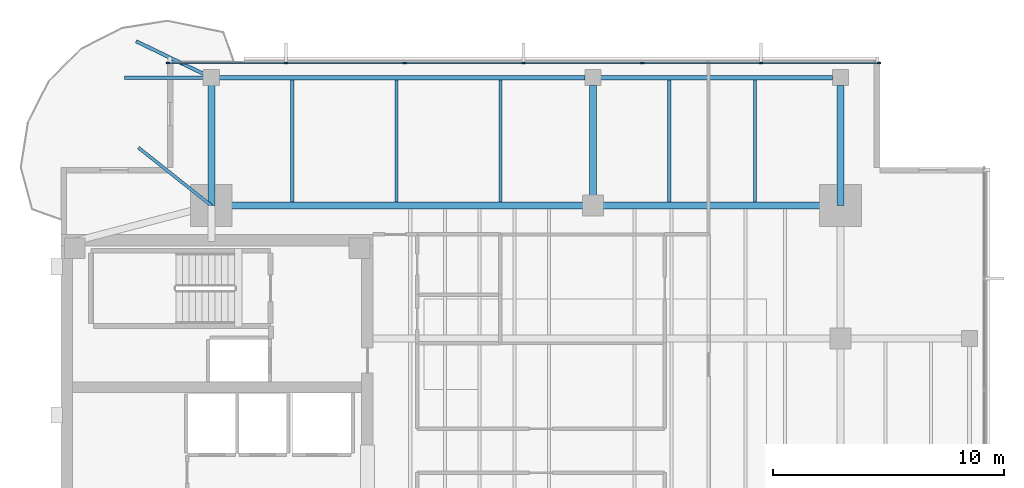
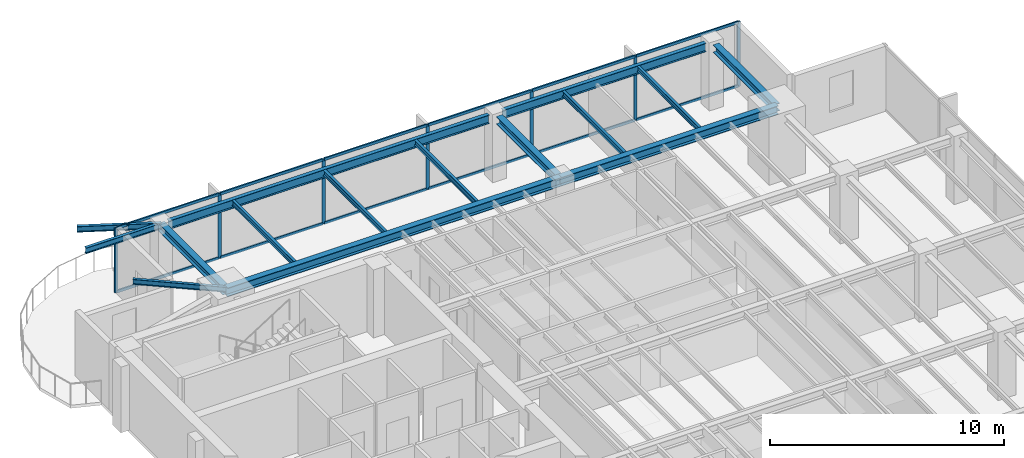
# One storey, part 5 of 14: 19 members, 15 beams, 1 element without a shape of its own.
"""IFC4 building model written with IfcOpenShell, lengths in metres."""

from ifc_helpers import new_model, si_unit, direction, frame, origin, origin_2d, place, context, subcontext, project, spatial, rectangle, i_section, extrude, material, layer, layer_set, material_profile, profile_set, type_object, element, aggregate, save


model = new_model("IFC4")

# Units and contexts
model_context = context("Model", 3, precision=1e-05, world=origin(), true_north=direction((0.0, 1.0)))
body_context = subcontext(model_context, "Body", "Model", "MODEL_VIEW")
ifc_project = project(units=[si_unit("LENGTHUNIT", "METRE"), si_unit("AREAUNIT", "SQUARE_METRE"), si_unit("VOLUMEUNIT", "CUBIC_METRE"), si_unit("PLANEANGLEUNIT", "RADIAN"), si_unit("MASSUNIT", "GRAM", prefix="KILO")], contexts=[model_context])

# Site, building, storey
site_placement = place(None, origin())
site = spatial("IfcSite", under=ifc_project, at=site_placement, CompositionType="ELEMENT")
building_placement = place(site_placement, origin())
building = spatial("IfcBuilding", under=site, at=building_placement, Name="Kinhvarn Gate Tower", CompositionType="ELEMENT")
storey_placement = place(building_placement, frame((0.0, 0.0, 267.0)))
storey = spatial("IfcBuildingStorey", under=building, at=storey_placement, Name="L71", CompositionType="ELEMENT", Elevation=267.0)

# Curtain wall, members
ifc_material_1 = material(Name="Anodised aluminium AW-6063", Category="aluminium")
ifc_layer = layer(ifc_material_1, 0.179931640625)
ifc_layer_set = layer_set([ifc_layer], Name="Anodised aluminium AW-6063")
curtain_wall_type = type_object("IfcCurtainWallType", Name="CW-SYS-3", PredefinedType="NOTDEFINED", material=ifc_layer_set)
curtain_wall_placement = place(storey_placement, origin())
curtain_wall = element("IfcCurtainWall", 1, at=curtain_wall_placement, inside=storey, type_object=curtain_wall_type, Name="Curtain Wall CW3 (L71)", PredefinedType="NOTDEFINED")
ifc_material_profile_1 = material_profile(ifc_material_1, rectangle(XDim=0.06494140625, YDim=0.159912109375, at=origin_2d()), Name="ALU 65x160")
ifc_profile_set_1 = profile_set([ifc_material_profile_1], Name="Anodised aluminium AW-6063")
member_type_1 = type_object("IfcMemberType", Name="CW-MUL-160", PredefinedType="MULLION", material=ifc_profile_set_1)
member_1_placement = place(storey_placement, frame((39.867431640625, 43.909912109375, 0.0), z_axis=(0.0, 0.0, 1.0), x_axis=(0.0, -1.0, 0.0)))
member_1 = element("IfcMember", 2, at=member_1_placement, type_object=member_type_1, Name="CW3 mullion 1", PredefinedType="MULLION", context=body_context, shape_type="SweptSolid", body=[
    extrude(rectangle(XDim=0.06494140625, YDim=0.159912109375, at=origin_2d()), origin(), (0.0, 0.0, 1.0), 3.389892578125),
])
member_2_placement = place(storey_placement, frame((34.7666015625, 43.909912109375, 0.0), z_axis=(0.0, 0.0, 1.0), x_axis=(0.0, -1.0, 0.0)))
member_2 = element("IfcMember", 3, at=member_2_placement, type_object=member_type_1, Name="CW3 mullion 2", PredefinedType="MULLION", context=body_context, shape_type="SweptSolid", body=[
    extrude(rectangle(XDim=0.06494140625, YDim=0.159912109375, at=origin_2d()), origin(), (0.0, 0.0, 1.0), 3.389892578125),
])
member_3_placement = place(storey_placement, frame((29.63330078125, 43.909912109375, 0.0), z_axis=(0.0, 0.0, 1.0), x_axis=(0.0, -1.0, 0.0)))
member_3 = element("IfcMember", 4, at=member_3_placement, type_object=member_type_1, Name="CW3 mullion 3", PredefinedType="MULLION", context=body_context, shape_type="SweptSolid", body=[
    extrude(rectangle(XDim=0.06494140625, YDim=0.159912109375, at=origin_2d()), origin(), (0.0, 0.0, 1.0), 3.389892578125),
])
member_4_placement = place(storey_placement, frame((24.5, 43.909912109375, 0.0), z_axis=(0.0, 0.0, 1.0), x_axis=(0.0, -1.0, 0.0)))
member_4 = element("IfcMember", 5, at=member_4_placement, type_object=member_type_1, Name="CW3 mullion 4", PredefinedType="MULLION", context=body_context, shape_type="SweptSolid", body=[
    extrude(rectangle(XDim=0.06494140625, YDim=0.159912109375, at=origin_2d()), origin(), (0.0, 0.0, 1.0), 3.389892578125),
])
member_5_placement = place(storey_placement, frame((19.36669921875, 43.909912109375, 0.0), z_axis=(0.0, 0.0, 1.0), x_axis=(0.0, -1.0, 0.0)))
member_5 = element("IfcMember", 6, at=member_5_placement, type_object=member_type_1, Name="CW3 mullion 5", PredefinedType="MULLION", context=body_context, shape_type="SweptSolid", body=[
    extrude(rectangle(XDim=0.06494140625, YDim=0.159912109375, at=origin_2d()), origin(), (0.0, 0.0, 1.0), 3.389892578125),
])
member_6_placement = place(storey_placement, frame((14.2333984375, 43.909912109375, 0.0), z_axis=(0.0, 0.0, 1.0), x_axis=(0.0, -1.0, 0.0)))
member_6 = element("IfcMember", 7, at=member_6_placement, type_object=member_type_1, Name="CW3 mullion 6", PredefinedType="MULLION", context=body_context, shape_type="SweptSolid", body=[
    extrude(rectangle(XDim=0.06494140625, YDim=0.159912109375, at=origin_2d()), origin(), (0.0, 0.0, 1.0), 3.389892578125),
])
member_7_placement = place(storey_placement, frame((9.132568359375, 43.909912109375, 0.0), z_axis=(0.0, 0.0, 1.0), x_axis=(0.0, -1.0, 0.0)))
member_7 = element("IfcMember", 8, at=member_7_placement, type_object=member_type_1, Name="CW3 mullion 7", PredefinedType="MULLION", context=body_context, shape_type="SweptSolid", body=[
    extrude(rectangle(XDim=0.06494140625, YDim=0.159912109375, at=origin_2d()), origin(), (0.0, 0.0, 1.0), 3.389892578125),
])
ifc_material_profile_2 = material_profile(ifc_material_1, rectangle(XDim=0.070068359375, YDim=0.139892578125, at=origin_2d()), Name="ALU 70x140")
ifc_profile_set_2 = profile_set([ifc_material_profile_2], Name="Anodised aluminium AW-6063")
member_type_2 = type_object("IfcMemberType", Name="CW-TRN-140", PredefinedType="USERDEFINED", material=ifc_profile_set_2)
member_8_placement = place(storey_placement, frame((39.8349609375, 43.909912109375, 0.034912109375), z_axis=(-1.0, 0.0, 0.0), x_axis=(0.0, -1.0, 0.0)))
member_8 = element("IfcMember", 9, at=member_8_placement, type_object=member_type_2, Name="CW3 transom 1.1", ObjectType="TRANSOM", PredefinedType="USERDEFINED", context=body_context, shape_type="SweptSolid", body=[
    extrude(rectangle(XDim=0.070068359375, YDim=0.139892578125, at=origin_2d()), origin(), (0.0, 0.0, 1.0), 5.035888671875),
])
member_9_placement = place(storey_placement, frame((39.8349609375, 43.909912109375, 3.35498046875), z_axis=(-1.0, 0.0, 0.0), x_axis=(0.0, -1.0, 0.0)))
member_9 = element("IfcMember", 10, at=member_9_placement, type_object=member_type_2, Name="CW3 transom 1.2", ObjectType="TRANSOM", PredefinedType="USERDEFINED", context=body_context, shape_type="SweptSolid", body=[
    extrude(rectangle(XDim=0.070068359375, YDim=0.139892578125, at=origin_2d()), origin(), (0.0, 0.0, 1.0), 5.035888671875),
])
member_10_placement = place(storey_placement, frame((34.734130859375, 43.909912109375, 0.034912109375), z_axis=(-1.0, 0.0, 0.0), x_axis=(0.0, -1.0, 0.0)))
member_10 = element("IfcMember", 11, at=member_10_placement, type_object=member_type_2, Name="CW3 transom 2.1", ObjectType="TRANSOM", PredefinedType="USERDEFINED", context=body_context, shape_type="SweptSolid", body=[
    extrude(rectangle(XDim=0.070068359375, YDim=0.139892578125, at=origin_2d()), origin(), (0.0, 0.0, 1.0), 5.068359375),
])
member_11_placement = place(storey_placement, frame((34.734130859375, 43.909912109375, 3.35498046875), z_axis=(-1.0, 0.0, 0.0), x_axis=(0.0, -1.0, 0.0)))
member_11 = element("IfcMember", 12, at=member_11_placement, type_object=member_type_2, Name="CW3 transom 2.2", ObjectType="TRANSOM", PredefinedType="USERDEFINED", context=body_context, shape_type="SweptSolid", body=[
    extrude(rectangle(XDim=0.070068359375, YDim=0.139892578125, at=origin_2d()), origin(), (0.0, 0.0, 1.0), 5.068359375),
])
member_12_placement = place(storey_placement, frame((29.600830078125, 43.909912109375, 0.034912109375), z_axis=(-1.0, 0.0, 0.0), x_axis=(0.0, -1.0, 0.0)))
member_12 = element("IfcMember", 13, at=member_12_placement, type_object=member_type_2, Name="CW3 transom 3.1", ObjectType="TRANSOM", PredefinedType="USERDEFINED", context=body_context, shape_type="SweptSolid", body=[
    extrude(rectangle(XDim=0.070068359375, YDim=0.139892578125, at=origin_2d()), origin(), (0.0, 0.0, 1.0), 5.068359375),
])
member_13_placement = place(storey_placement, frame((29.600830078125, 43.909912109375, 3.35498046875), z_axis=(-1.0, 0.0, 0.0), x_axis=(0.0, -1.0, 0.0)))
member_13 = element("IfcMember", 14, at=member_13_placement, type_object=member_type_2, Name="CW3 transom 3.2", ObjectType="TRANSOM", PredefinedType="USERDEFINED", context=body_context, shape_type="SweptSolid", body=[
    extrude(rectangle(XDim=0.070068359375, YDim=0.139892578125, at=origin_2d()), origin(), (0.0, 0.0, 1.0), 5.068359375),
])
member_14_placement = place(storey_placement, frame((24.467529296875, 43.909912109375, 0.034912109375), z_axis=(-1.0, 0.0, 0.0), x_axis=(0.0, -1.0, 0.0)))
member_14 = element("IfcMember", 15, at=member_14_placement, type_object=member_type_2, Name="CW3 transom 4.1", ObjectType="TRANSOM", PredefinedType="USERDEFINED", context=body_context, shape_type="SweptSolid", body=[
    extrude(rectangle(XDim=0.070068359375, YDim=0.139892578125, at=origin_2d()), origin(), (0.0, 0.0, 1.0), 5.068359375),
])
member_15_placement = place(storey_placement, frame((24.467529296875, 43.909912109375, 3.35498046875), z_axis=(-1.0, 0.0, 0.0), x_axis=(0.0, -1.0, 0.0)))
member_15 = element("IfcMember", 16, at=member_15_placement, type_object=member_type_2, Name="CW3 transom 4.2", ObjectType="TRANSOM", PredefinedType="USERDEFINED", context=body_context, shape_type="SweptSolid", body=[
    extrude(rectangle(XDim=0.070068359375, YDim=0.139892578125, at=origin_2d()), origin(), (0.0, 0.0, 1.0), 5.068359375),
])
member_16_placement = place(storey_placement, frame((19.334228515625, 43.909912109375, 0.034912109375), z_axis=(-1.0, 0.0, 0.0), x_axis=(0.0, -1.0, 0.0)))
member_16 = element("IfcMember", 17, at=member_16_placement, type_object=member_type_2, Name="CW3 transom 5.1", ObjectType="TRANSOM", PredefinedType="USERDEFINED", context=body_context, shape_type="SweptSolid", body=[
    extrude(rectangle(XDim=0.070068359375, YDim=0.139892578125, at=origin_2d()), origin(), (0.0, 0.0, 1.0), 5.068359375),
])
member_17_placement = place(storey_placement, frame((19.334228515625, 43.909912109375, 3.35498046875), z_axis=(-1.0, 0.0, 0.0), x_axis=(0.0, -1.0, 0.0)))
member_17 = element("IfcMember", 18, at=member_17_placement, type_object=member_type_2, Name="CW3 transom 5.2", ObjectType="TRANSOM", PredefinedType="USERDEFINED", context=body_context, shape_type="SweptSolid", body=[
    extrude(rectangle(XDim=0.070068359375, YDim=0.139892578125, at=origin_2d()), origin(), (0.0, 0.0, 1.0), 5.068359375),
])
member_18_placement = place(storey_placement, frame((14.200927734375, 43.909912109375, 0.034912109375), z_axis=(-1.0, 0.0, 0.0), x_axis=(0.0, -1.0, 0.0)))
member_18 = element("IfcMember", 19, at=member_18_placement, type_object=member_type_2, Name="CW3 transom 6.1", ObjectType="TRANSOM", PredefinedType="USERDEFINED", context=body_context, shape_type="SweptSolid", body=[
    extrude(rectangle(XDim=0.070068359375, YDim=0.139892578125, at=origin_2d()), origin(), (0.0, 0.0, 1.0), 5.035888671875),
])
member_19_placement = place(storey_placement, frame((14.200927734375, 43.909912109375, 3.35498046875), z_axis=(-1.0, 0.0, 0.0), x_axis=(0.0, -1.0, 0.0)))
member_19 = element("IfcMember", 20, at=member_19_placement, type_object=member_type_2, Name="CW3 transom 6.2", ObjectType="TRANSOM", PredefinedType="USERDEFINED", context=body_context, shape_type="SweptSolid", body=[
    extrude(rectangle(XDim=0.070068359375, YDim=0.139892578125, at=origin_2d()), origin(), (0.0, 0.0, 1.0), 5.035888671875),
])
aggregate(curtain_wall, [member_1, member_2, member_3, member_4, member_5, member_6, member_7, member_8, member_9, member_10, member_11, member_12, member_13, member_14, member_15, member_16, member_17, member_18, member_19])

# Beams
ifc_material_2 = material(Name="Steel S355", Category="steel")
ifc_material_profile_3 = material_profile(ifc_material_2, i_section(OverallWidth=0.300048828125, OverallDepth=0.39990234375, WebThickness=0.013427734375, FlangeThickness=0.02392578125, at=origin_2d()), Name="HEB 400")
ifc_profile_set_3 = profile_set([ifc_material_profile_3], Name="Steel S355")
beam_type_1 = type_object("IfcBeamType", Name="STL-HEB400", PredefinedType="BEAM", material=ifc_profile_set_3)
beam_1_placement = place(storey_placement, frame((11.0, 37.75, 3.18994140625), z_axis=(0.0, 1.0, 0.0), x_axis=(-1.0, 0.0, 0.0)))
element("IfcBeam", 21, at=beam_1_placement, inside=storey, type_object=beam_type_1, Name="Floor Beam PG-12 (L71 MCW-N)", PredefinedType="BEAM", context=body_context, shape_type="SweptSolid", body=[
    extrude(i_section(OverallWidth=0.300048828125, OverallDepth=0.39990234375, WebThickness=0.013427734375, FlangeThickness=0.02392578125, at=origin_2d()), origin(), (0.0, 0.0, 1.0), 5.530029296875),
])
for number, where, z_axis, x_axis, name in (
    (22, (27.5, 37.75, 3.18994140625), (0.0, 1.0, 0.0), (-1.0, 0.0, 0.0), "Floor Beam PG-12 (L71 SP27-N-TIE)"),
    (23, (38.199951171875, 37.75, 3.18994140625), (0.0, 1.0, 0.0), (-1.0, 0.0, 0.0), "Floor Beam PG-12 (L71 MCE-N)"),
):
    element("IfcBeam", number, at=place(storey_placement, frame(where, z_axis=z_axis, x_axis=x_axis)), inside=storey, type_object=beam_type_1, Name=name, PredefinedType="BEAM", context=body_context, shape_type="SweptSolid", body=[
        extrude(i_section(OverallWidth=0.300048828125, OverallDepth=0.39990234375, WebThickness=0.013427734375, FlangeThickness=0.02392578125, at=origin_2d()), origin(), (0.0, 0.0, 1.0), 5.195068359375),
    ])
ifc_material_profile_4 = material_profile(ifc_material_2, i_section(OverallWidth=0.300048828125, OverallDepth=0.449951171875, WebThickness=0.013916015625, FlangeThickness=0.02587890625, at=origin_2d()), Name="HEB 450")
ifc_profile_set_4 = profile_set([ifc_material_profile_4], Name="Steel S355")
beam_type_2 = type_object("IfcBeamType", Name="STL-HEB450", PredefinedType="BEAM", material=ifc_profile_set_4)
beam_2_placement = place(storey_placement, frame((11.0, 37.75, 3.1650390625), z_axis=(1.0, 0.0, 0.0), x_axis=(0.0, 1.0, 0.0)))
element("IfcBeam", 24, at=beam_2_placement, inside=storey, type_object=beam_type_2, Name="Floor Beam PG-13 (L71 MG-N1)", PredefinedType="BEAM", context=body_context, shape_type="SweptSolid", body=[
    extrude(i_section(OverallWidth=0.300048828125, OverallDepth=0.449951171875, WebThickness=0.013916015625, FlangeThickness=0.02587890625, at=origin_2d()), origin(), (0.0, 0.0, 1.0), 16.5),
])
beam_3_placement = place(storey_placement, frame((27.5, 37.75, 3.1650390625), z_axis=(1.0, 0.0, 0.0), x_axis=(0.0, 1.0, 0.0)))
element("IfcBeam", 25, at=beam_3_placement, inside=storey, type_object=beam_type_2, Name="Floor Beam PG-13 (L71 MG-N2)", PredefinedType="BEAM", context=body_context, shape_type="SweptSolid", body=[
    extrude(i_section(OverallWidth=0.300048828125, OverallDepth=0.449951171875, WebThickness=0.013916015625, FlangeThickness=0.02587890625, at=origin_2d()), origin(), (0.0, 0.0, 1.0), 10.699951171875),
])
ifc_material_profile_5 = material_profile(ifc_material_2, i_section(OverallWidth=0.135009765625, OverallDepth=0.27001953125, WebThickness=0.006591796875, FlangeThickness=0.01025390625, at=origin_2d()), Name="IPE 270")
ifc_profile_set_5 = profile_set([ifc_material_profile_5], Name="Steel S355")
beam_type_3 = type_object("IfcBeamType", Name="STL-IPE270", PredefinedType="JOIST", material=ifc_profile_set_5)
for number, where, z_axis, x_axis, name in (
    (26, (14.5, 37.89990234375, 3.2548828125), (0.0, 1.0, 0.0), (-1.0, 0.0, 0.0), "Floor Joist SB-01 (L71 JN-X145)"),
    (27, (19.0, 37.89990234375, 3.2548828125), (0.0, 1.0, 0.0), (-1.0, 0.0, 0.0), "Floor Joist SB-01 (L71 JN-X190)"),
    (28, (23.5, 37.89990234375, 3.2548828125), (0.0, 1.0, 0.0), (-1.0, 0.0, 0.0), "Floor Joist SB-01 (L71 JN-X235)"),
    (29, (30.800048828125, 37.89990234375, 3.2548828125), (0.0, 1.0, 0.0), (-1.0, 0.0, 0.0), "Floor Joist SB-01 (L71 JN-X308)"),
    (30, (34.5, 37.89990234375, 3.2548828125), (0.0, 1.0, 0.0), (-1.0, 0.0, 0.0), "Floor Joist SB-01 (L71 JN-X345)"),
):
    element("IfcBeam", number, at=place(storey_placement, frame(where, z_axis=z_axis, x_axis=x_axis)), inside=storey, type_object=beam_type_3, Name=name, PredefinedType="JOIST", context=body_context, shape_type="SweptSolid", body=[
        extrude(i_section(OverallWidth=0.135009765625, OverallDepth=0.27001953125, WebThickness=0.006591796875, FlangeThickness=0.01025390625, at=origin_2d()), origin(), (0.0, 0.0, 1.0), 5.28515625),
    ])
beam_4_placement = place(storey_placement, frame((11.0, 37.75, 3.2548828125), z_axis=(-0.783279518214, 0.621669684275, 0.0), x_axis=(-0.621669684275, -0.783279518214, 0.0)))
element("IfcBeam", 31, at=beam_4_placement, inside=storey, type_object=beam_type_3, Name="Floor Joist SB-01 (L71 BAL-B3-L72)", PredefinedType="JOIST", context=body_context, shape_type="SweptSolid", body=[
    extrude(i_section(OverallWidth=0.135009765625, OverallDepth=0.27001953125, WebThickness=0.006591796875, FlangeThickness=0.01025390625, at=origin_2d()), origin(), (0.0, 0.0, 1.0), 4.021484375),
])
ifc_material_profile_6 = material_profile(ifc_material_2, i_section(OverallWidth=0.14990234375, OverallDepth=0.300048828125, WebThickness=0.007080078125, FlangeThickness=0.0107421875, at=origin_2d()), Name="IPE 300")
ifc_profile_set_6 = profile_set([ifc_material_profile_6], Name="Steel S355")
beam_type_4 = type_object("IfcBeamType", Name="STL-IPE300", PredefinedType="JOIST", material=ifc_profile_set_6)
beam_5_placement = place(storey_placement, frame((11.0, 43.280029296875, 3.239990234375), z_axis=(-1.0, 0.0, 0.0), x_axis=(0.0, -1.0, 0.0)))
element("IfcBeam", 32, at=beam_5_placement, inside=storey, type_object=beam_type_4, Name="Floor Joist SB-02 (L71 BAL-B1-L72)", PredefinedType="JOIST", context=body_context, shape_type="SweptSolid", body=[
    extrude(i_section(OverallWidth=0.14990234375, OverallDepth=0.300048828125, WebThickness=0.007080078125, FlangeThickness=0.0107421875, at=origin_2d()), origin(), (0.0, 0.0, 1.0), 3.75),
])
beam_6_placement = place(storey_placement, frame((11.0, 43.280029296875, 3.239990234375), z_axis=(-0.900431975558, 0.434996847567, 0.0), x_axis=(-0.434996847567, -0.900431975558, 0.0)))
element("IfcBeam", 33, at=beam_6_placement, inside=storey, type_object=beam_type_4, Name="Floor Joist SB-02 (L71 BAL-B2-L72)", PredefinedType="JOIST", context=body_context, shape_type="SweptSolid", body=[
    extrude(i_section(OverallWidth=0.14990234375, OverallDepth=0.300048828125, WebThickness=0.007080078125, FlangeThickness=0.0107421875, at=origin_2d()), origin(), (0.0, 0.0, 1.0), 3.609375),
])
ifc_material_profile_7 = material_profile(ifc_material_2, i_section(OverallWidth=0.18994140625, OverallDepth=0.449951171875, WebThickness=0.009521484375, FlangeThickness=0.0146484375, at=origin_2d()), Name="IPE 450")
ifc_profile_set_7 = profile_set([ifc_material_profile_7], Name="Steel S355")
beam_type_5 = type_object("IfcBeamType", Name="STL-IPE450", PredefinedType="JOIST", material=ifc_profile_set_7)
beam_7_placement = place(storey_placement, frame((11.3349609375, 43.280029296875, 3.1650390625), z_axis=(1.0, 0.0, 0.0), x_axis=(0.0, 1.0, 0.0)))
element("IfcBeam", 34, at=beam_7_placement, inside=storey, type_object=beam_type_5, Name="Floor Joist SB-06 (L71 SP-N1)", PredefinedType="JOIST", context=body_context, shape_type="SweptSolid", body=[
    extrude(i_section(OverallWidth=0.18994140625, OverallDepth=0.449951171875, WebThickness=0.009521484375, FlangeThickness=0.0146484375, at=origin_2d()), origin(), (0.0, 0.0, 1.0), 15.830078125),
])
beam_8_placement = place(storey_placement, frame((27.8349609375, 43.280029296875, 3.1650390625), z_axis=(1.0, 0.0, 0.0), x_axis=(0.0, 1.0, 0.0)))
element("IfcBeam", 35, at=beam_8_placement, inside=storey, type_object=beam_type_5, Name="Floor Joist SB-06 (L71 SP-N2)", PredefinedType="JOIST", context=body_context, shape_type="SweptSolid", body=[
    extrude(i_section(OverallWidth=0.18994140625, OverallDepth=0.449951171875, WebThickness=0.009521484375, FlangeThickness=0.0146484375, at=origin_2d()), origin(), (0.0, 0.0, 1.0), 10.030029296875),
])

save(model, "model.ifc")
